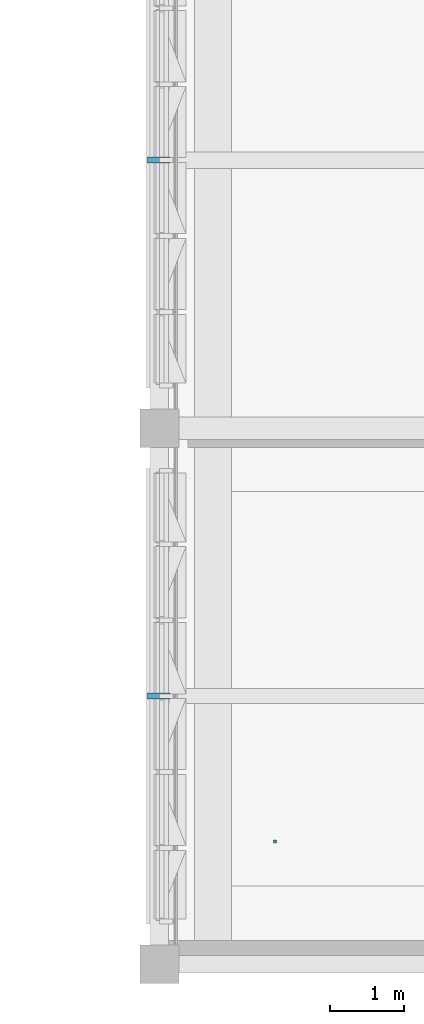
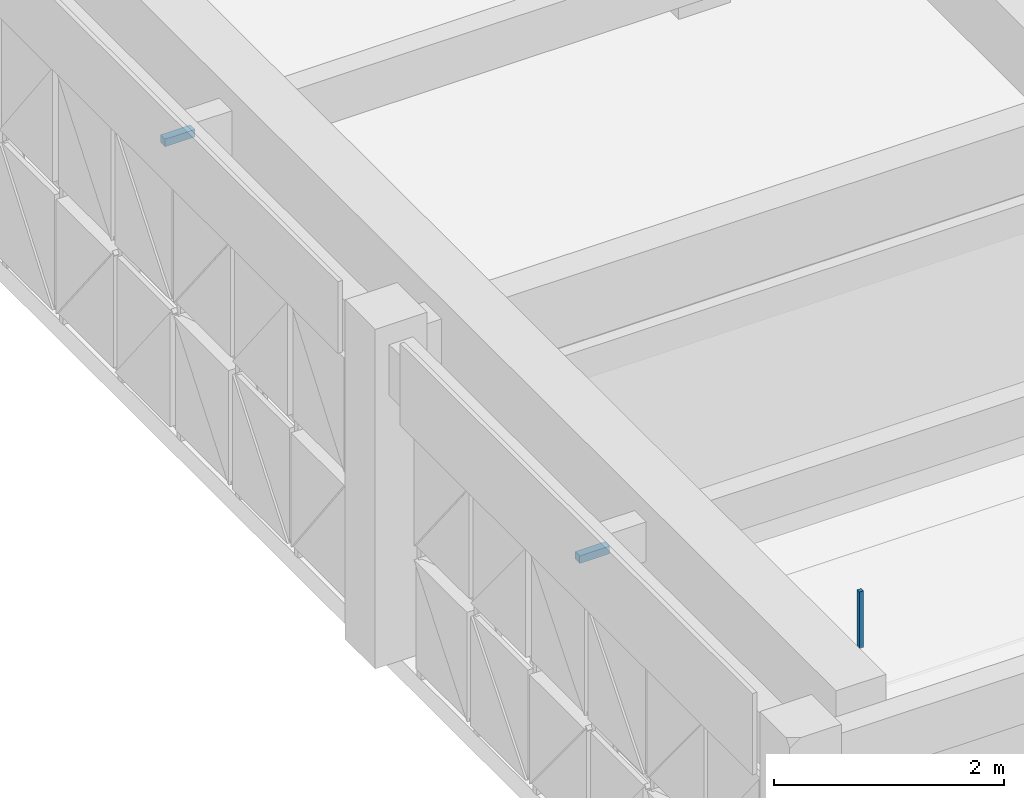
# One storey, part 54 of 74: 3 discrete accessories.
"""IFC4 building model written with IfcOpenShell, lengths in metres."""

from ifc_helpers import new_model, si_unit, direction, frame, origin, origin_2d, place, context, subcontext, project, spatial, rectangle, extrude, material, type_object, element, save


model = new_model("IFC4")

# Units and contexts
model_context = context("Model", 3, precision=1e-05, world=origin(), true_north=direction((0.0, 1.0)))
body_context = subcontext(model_context, "Body", "Model", "MODEL_VIEW")
ifc_project = project(units=[si_unit("LENGTHUNIT", "METRE"), si_unit("AREAUNIT", "SQUARE_METRE"), si_unit("VOLUMEUNIT", "CUBIC_METRE"), si_unit("PLANEANGLEUNIT", "RADIAN"), si_unit("MASSUNIT", "GRAM", prefix="KILO")], contexts=[model_context])

# Site, building, storey
site_placement = place(None, origin())
site = spatial("IfcSite", under=ifc_project, at=site_placement, CompositionType="ELEMENT")
building_placement = place(site_placement, origin())
building = spatial("IfcBuilding", under=site, at=building_placement, Name="Alvorim Cloister Faculty of Sciences", CompositionType="ELEMENT")
storey_placement = place(building_placement, frame((0.0, 0.0, 15.75)))
storey = spatial("IfcBuildingStorey", under=building, at=storey_placement, Name="L04", CompositionType="ELEMENT", Elevation=15.75)

# Discrete accessories
ifc_material_1 = material(Name="Galvanised Painted Steel", Category="steel")
discrete_accessory_type_1 = type_object("IfcDiscreteAccessoryType", Name="ACC-CEIL-ROD", PredefinedType="BRACKET", material=ifc_material_1)
discrete_accessory_placement = place(storey_placement, frame((66.35009765625, 1.64990234375, 2.81005859375), z_axis=(0.0, 0.0, 1.0), x_axis=(1.0, 0.0, 0.0)))
element("IfcDiscreteAccessory", 1, at=discrete_accessory_placement, inside=storey, type_object=discrete_accessory_type_1, Name="Ceiling Suspension Bracket ACC-ROD-029", PredefinedType="BRACKET", context=body_context, shape_type="SweptSolid", body=[
    extrude(rectangle(XDim=0.0400390625, YDim=0.0400390625, at=origin_2d()), origin(), (0.0, 0.0, 1.0), 0.599853515625),
])
ifc_material_2 = material(Name="Aluminium Alloy 6063-T6", Category="aluminium")
discrete_accessory_type_2 = type_object("IfcDiscreteAccessoryType", Name="ACC-DIAG-BAR", PredefinedType="BRACKET", material=ifc_material_2)
for number, where, z_axis, x_axis, name in (
    (2, (64.93994140625, 3.60009765625, 3.1728515625), (-1.0, 0.0, 0.0), (0.0, -1.0, 0.0), "Slab-Edge Fascia Tie Bracket ACC-02241"),
    (3, (64.93994140625, 10.800048828125, 3.22509765625), (-1.0, 0.0, 0.0), (0.0, -1.0, 0.0), "Slab-Edge Fascia Tie Bracket ACC-02254"),
):
    element("IfcDiscreteAccessory", number, at=place(storey_placement, frame(where, z_axis=z_axis, x_axis=x_axis)), inside=storey, type_object=discrete_accessory_type_2, Name=name, PredefinedType="BRACKET", context=body_context, shape_type="SweptSolid", body=[
        extrude(rectangle(XDim=0.080078125, YDim=0.080078125, at=origin_2d()), origin(), (0.0, 0.0, 1.0), 0.300048828125),
    ])

save(model, "model.ifc")
